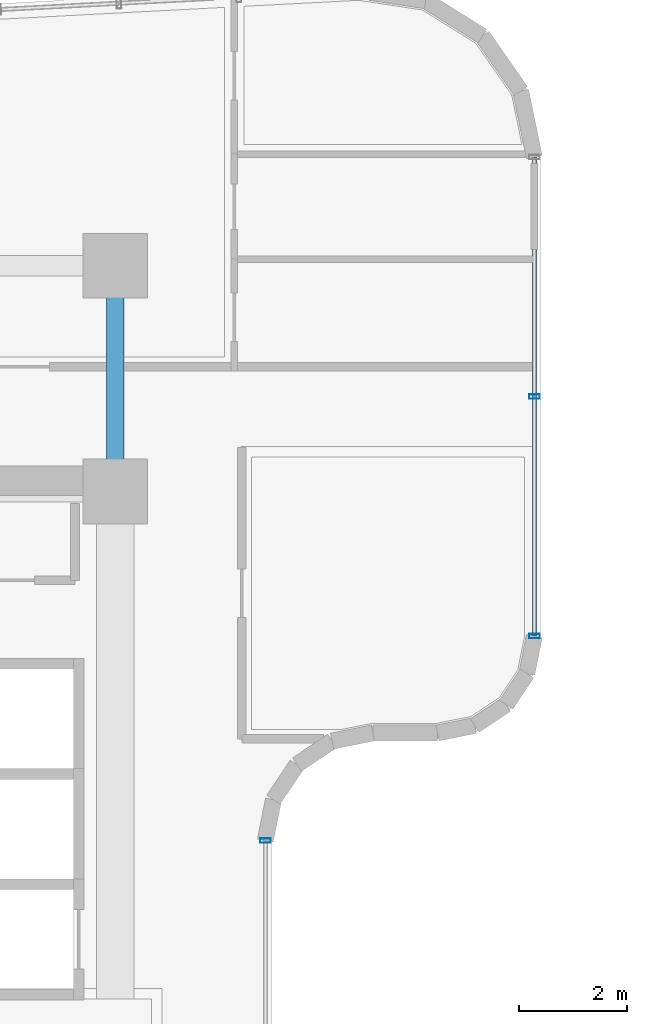
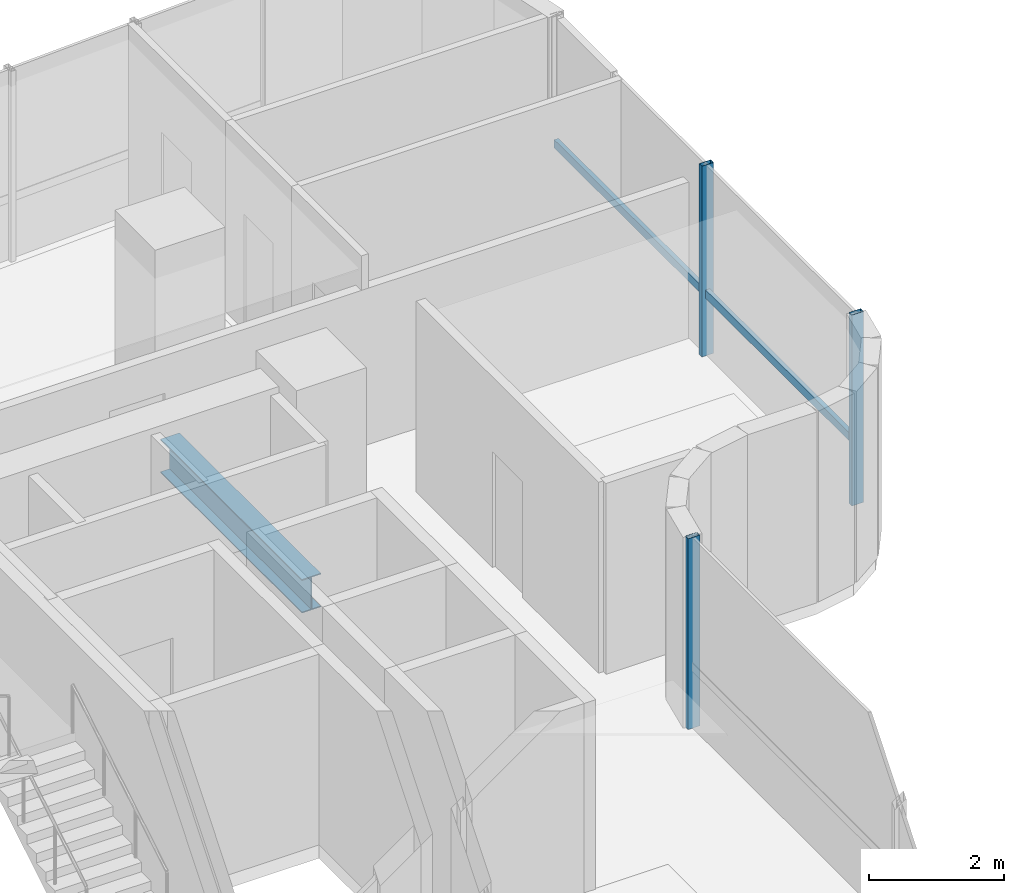
# One storey, part 12 of 34: 4 members, 1 beam, 2 elements without a shape of their own.
"""IFC4 building model written with IfcOpenShell, lengths in metres."""

from ifc_helpers import new_model, si_unit, direction, frame, origin, origin_2d, place, context, subcontext, project, spatial, hollow_rectangle, i_section, extrude, source, transform, mapped, material, material_profile, profile_set, type_object, element, aggregate, save


model = new_model("IFC4")

# Units and contexts
model_context = context("Model", 3, precision=1e-05, world=origin(), true_north=direction((0.0, 1.0)))
body_context = subcontext(model_context, "Body", "Model", "MODEL_VIEW")
ifc_project = project(units=[si_unit("LENGTHUNIT", "METRE"), si_unit("AREAUNIT", "SQUARE_METRE"), si_unit("VOLUMEUNIT", "CUBIC_METRE"), si_unit("PLANEANGLEUNIT", "RADIAN"), si_unit("MASSUNIT", "GRAM", prefix="KILO")], contexts=[model_context])

# Site, building, storey
site_placement = place(None, origin())
site = spatial("IfcSite", under=ifc_project, at=site_placement, CompositionType="ELEMENT")
building_placement = place(site_placement, origin())
building = spatial("IfcBuilding", under=site, at=building_placement, Name="Valdorenza Pilgrim Sanctuary Tower", CompositionType="ELEMENT")
storey_placement = place(building_placement, frame((0.0, 0.0, 161.199951171875)))
storey = spatial("IfcBuildingStorey", under=building, at=storey_placement, Name="L41", CompositionType="ELEMENT", Elevation=161.199951171875)

# Beam
ifc_material_1 = material(Name="Steel ASTM A992 Grade 50", Category="steel")
ifc_material_profile_1 = material_profile(ifc_material_1, i_section(OverallWidth=0.323974609375, OverallDepth=0.611083984375, WebThickness=0.0126953125, FlangeThickness=0.01904296875, at=origin_2d()), Name="W24X104")
ifc_profile_set_1 = profile_set([ifc_material_profile_1], Name="Steel ASTM A992 Grade 50")
beam_type = type_object("IfcBeamType", Name="STR-BM-GRD-W24B", PredefinedType="BEAM", material=ifc_profile_set_1)
shared_shape_1 = source(origin(), body_context, "Body", "SweptSolid", [
    extrude(i_section(OverallWidth=0.323974609375, OverallDepth=0.611083984375, WebThickness=0.0126953125, FlangeThickness=0.01904296875, at=origin_2d()), origin(), (0.0, 0.0, 1.0), 4.199951171875),
])
beam_placement = place(storey_placement, frame((-12.39990234375, 10.60009765625, -0.54541015625), z_axis=(0.0, 1.0, 0.0), x_axis=(-1.0, 0.0, 0.0)))
element("IfcBeam", 1, at=beam_placement, inside=storey, type_object=beam_type, Name="L41 Core Tie Girder CA-E-N1N2", PredefinedType="BEAM", context=body_context, shape_type="MappedRepresentation", body=[
    mapped(shared_shape_1, transform((0.0, 0.0, 0.0), x_axis=(1.0, 0.0, 0.0), y_axis=(0.0, 1.0, 0.0), z_axis=(0.0, 0.0, 1.0), scale=1.0)),
])

# Curtain wall, members
ifc_material_2 = material(Name="Curtain-wall IGU glazing", Category="glass")
curtain_wall_type = type_object("IfcCurtainWallType", Name="CW-SYS-02", PredefinedType="NOTDEFINED", material=ifc_material_2)
curtain_wall_1_placement = place(storey_placement, origin())
curtain_wall_1 = element("IfcCurtainWall", 2, at=curtain_wall_1_placement, inside=storey, type_object=curtain_wall_type, Name="L41 Curtain Wall CW-L41-1-11", PredefinedType="NOTDEFINED")
ifc_material_3 = material(Name="Anodised aluminium AW-6060", Category="aluminium")
ifc_material_profile_2 = material_profile(ifc_material_3, hollow_rectangle(XDim=0.0849609375, YDim=0.199951171875, WallThickness=0.0048828125, at=origin_2d()), Name="ALU-M 200x85x5")
ifc_profile_set_2 = profile_set([ifc_material_profile_2], Name="Anodised aluminium AW-6060")
member_type_1 = type_object("IfcMemberType", Name="CW-MUL-02", PredefinedType="MULLION", material=ifc_profile_set_2)
shared_shape_2 = source(origin(), body_context, "Body", "SweptSolid", [
    extrude(hollow_rectangle(XDim=0.0849609375, YDim=0.199951171875, WallThickness=0.0048828125, at=origin_2d()), origin(), (0.0, 0.0, 1.0), 3.4599609375),
])
member_1_placement = place(storey_placement, frame((-4.610107421875, 12.363037109375, 0.0), z_axis=(0.0, 0.0, 1.0), x_axis=(0.0, -1.0, 0.0)))
member_1 = element("IfcMember", 3, at=member_1_placement, type_object=member_type_1, Name="CW-L41-1-11 Mullion 2", PredefinedType="MULLION", context=body_context, shape_type="MappedRepresentation", body=[
    mapped(shared_shape_2, transform((0.0, 0.0, 0.0), x_axis=(1.0, 0.0, 0.0), y_axis=(0.0, 1.0, 0.0), z_axis=(0.0, 0.0, 1.0), scale=1.0)),
])
member_2_placement = place(storey_placement, frame((-4.610107421875, 7.910888671875, 0.0), z_axis=(0.0, 0.0, 1.0), x_axis=(0.0, -1.0, 0.0)))
member_2 = element("IfcMember", 4, at=member_2_placement, type_object=member_type_1, Name="CW-L41-1-11 Mullion 3", PredefinedType="MULLION", context=body_context, shape_type="MappedRepresentation", body=[
    mapped(shared_shape_2, transform((0.0, 0.0, 0.0), x_axis=(1.0, 0.0, 0.0), y_axis=(0.0, 1.0, 0.0), z_axis=(0.0, 0.0, 1.0), scale=1.0)),
])

# Curtain wall, member
curtain_wall_2_placement = place(storey_placement, origin())
curtain_wall_2 = element("IfcCurtainWall", 5, at=curtain_wall_2_placement, inside=storey, type_object=curtain_wall_type, Name="L41 Curtain Wall CW-L41-1-21", PredefinedType="NOTDEFINED")
member_3_placement = place(storey_placement, frame((-9.610107421875, 4.11083984375, 0.0), z_axis=(0.0, 0.0, 1.0), x_axis=(0.0, -1.0, 0.0)))
member_3 = element("IfcMember", 6, at=member_3_placement, type_object=member_type_1, Name="CW-L41-1-21 Mullion 1", PredefinedType="MULLION", context=body_context, shape_type="MappedRepresentation", body=[
    mapped(shared_shape_2, transform((0.0, 0.0, 0.0), x_axis=(1.0, 0.0, 0.0), y_axis=(0.0, 1.0, 0.0), z_axis=(0.0, 0.0, 1.0), scale=1.0)),
])
aggregate(curtain_wall_2, [member_3])

# Member
ifc_material_profile_3 = material_profile(ifc_material_3, hollow_rectangle(XDim=0.074951171875, YDim=0.14990234375, WallThickness=0.00390625, at=origin_2d()), Name="ALU-T 150x75x4")
ifc_profile_set_3 = profile_set([ifc_material_profile_3], Name="Anodised aluminium AW-6060")
member_type_2 = type_object("IfcMemberType", Name="CW-TRN-02", PredefinedType="USERDEFINED", material=ifc_profile_set_3)
shared_shape_3 = source(origin(), body_context, "Body", "SweptSolid", [
    extrude(hollow_rectangle(XDim=0.074951171875, YDim=0.14990234375, WallThickness=0.00390625, at=origin_2d()), origin(), (0.0, 0.0, 1.0), 8.904296875),
])
member_4_placement = place(storey_placement, frame((-4.610107421875, 16.815185546875, 1.1201171875), z_axis=(0.0, -1.0, 0.0), x_axis=(1.0, 0.0, 0.0)))
member_4 = element("IfcMember", 7, at=member_4_placement, type_object=member_type_2, Name="CW-L41-1-11 Transom 1", ObjectType="TRANSOM", PredefinedType="USERDEFINED", context=body_context, shape_type="MappedRepresentation", body=[
    mapped(shared_shape_3, transform((0.0, 0.0, 0.0), x_axis=(1.0, 0.0, 0.0), y_axis=(0.0, 1.0, 0.0), z_axis=(0.0, 0.0, 1.0), scale=1.0)),
])

aggregate(curtain_wall_1, [member_1, member_2, member_4])

save(model, "model.ifc")
